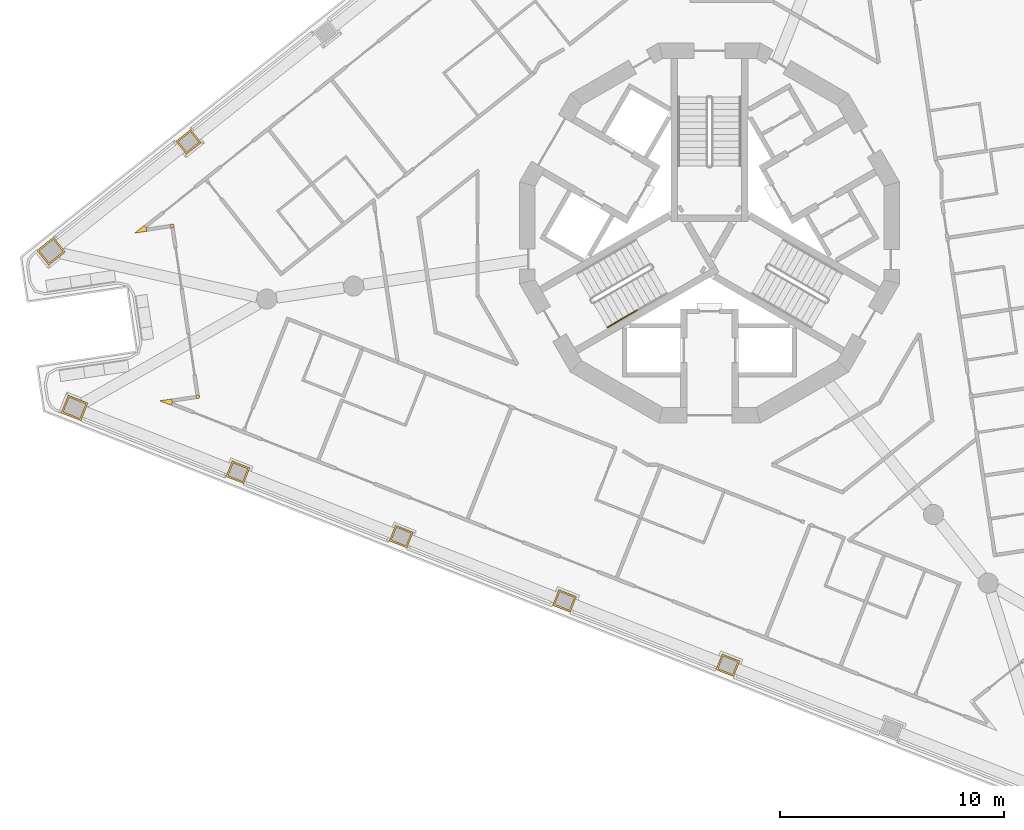
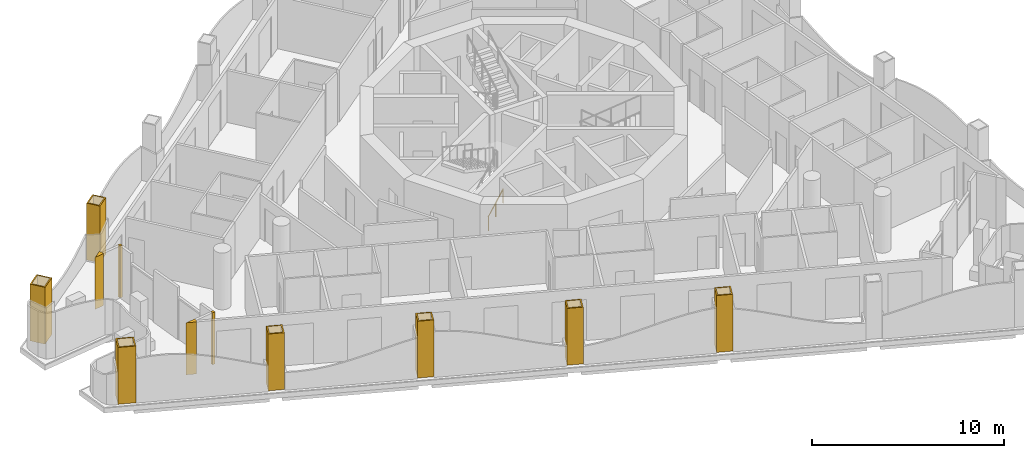
# One storey, part 10 of 16: 11 coverings, 1 railing.
"""IFC4 building model written with IfcOpenShell, lengths in metres."""

from ifc_helpers import new_model, si_unit, direction, frame, origin, origin_2d, place, context, subcontext, project, spatial, polyline, circle, outline, extrude, material, layer, layer_set, type_object, element, save


model = new_model("IFC4")

# Units and contexts
model_context = context("Model", 3, precision=1e-05, world=origin(), true_north=direction((0.0, 1.0)))
body_context = subcontext(model_context, "Body", "Model", "MODEL_VIEW")
ifc_project = project(units=[si_unit("LENGTHUNIT", "METRE"), si_unit("AREAUNIT", "SQUARE_METRE"), si_unit("VOLUMEUNIT", "CUBIC_METRE"), si_unit("PLANEANGLEUNIT", "RADIAN"), si_unit("MASSUNIT", "GRAM", prefix="KILO")], contexts=[model_context])

# Site, building, storey
site_placement = place(None, origin())
site = spatial("IfcSite", under=ifc_project, at=site_placement, CompositionType="ELEMENT")
building_placement = place(site_placement, origin())
building = spatial("IfcBuilding", under=site, at=building_placement, Name="Trine Commons Tower", CompositionType="ELEMENT")
storey_placement = place(building_placement, frame((0.0, 0.0, 219.60009765625)))
storey = spatial("IfcBuildingStorey", under=building, at=storey_placement, Name="L57", CompositionType="ELEMENT", Elevation=219.60009765625)

# Coverings
ifc_material_1 = material(Name="Aluminium-framed insulated wall panel", Category="aluminium")
ifc_layer_1 = layer(ifc_material_1, 0.14990234375)
ifc_layer_set_1 = layer_set([ifc_layer_1], Name="Aluminium-framed insulated wall panel")
covering_type_1 = type_object("IfcCoveringType", Name="Glazing corner post, aluminium", PredefinedType="CLADDING", material=ifc_layer_set_1)
covering_1_placement = place(storey_placement, origin())
element("IfcCovering", 1, at=covering_1_placement, inside=storey, type_object=covering_type_1, Name="Glazing corner post 6-01", PredefinedType="CLADDING", context=body_context, shape_type="SweptSolid", body=[
    extrude(outline(polyline([(54.83642578125, 62.5712890625), (54.814208984375, 62.7197265625), (54.720947265625, 62.837158203125), (54.28271484375, 62.488525390625), (54.83642578125, 62.5712890625)])), origin(), (0.0, 0.0, 1.0), 3.2998046875),
])
covering_2_placement = place(storey_placement, origin())
element("IfcCovering", 2, at=covering_2_placement, inside=storey, type_object=covering_type_1, Name="Glazing corner post 6-10", PredefinedType="CLADDING", context=body_context, shape_type="SweptSolid", body=[
    extrude(outline(polyline([(55.924072265625, 54.78662109375), (55.97900390625, 54.92626953125), (55.956787109375, 55.07470703125), (55.4033203125, 54.991943359375), (55.924072265625, 54.78662109375)])), origin(), (0.0, 0.0, 1.0), 3.2998046875),
])
covering_3_placement = place(storey_placement, origin())
element("IfcCovering", 3, at=covering_3_placement, inside=storey, type_object=covering_type_1, Name="Glazing corner post 6-11", PredefinedType="CLADDING", context=body_context, shape_type="SweptSolid", body=[
    extrude(outline(polyline([(57.030517578125, 55.235107421875), (57.052734375, 55.0869140625), (57.201171875, 55.10888671875), (57.178955078125, 55.25732421875), (57.030517578125, 55.235107421875)])), origin(), (0.0, 0.0, 1.0), 3.2998046875),
])
covering_4_placement = place(storey_placement, origin())
element("IfcCovering", 4, at=covering_4_placement, inside=storey, type_object=covering_type_1, Name="Glazing corner post 6-12", PredefinedType="CLADDING", context=body_context, shape_type="SweptSolid", body=[
    extrude(outline(polyline([(55.91015625, 62.731689453125), (55.91015625, 62.731689453125), (56.05859375, 62.75390625), (56.036376953125, 62.90234375), (55.887939453125, 62.880126953125), (55.91015625, 62.731689453125)])), origin(), (0.0, 0.0, 1.0), 3.2998046875),
])
ifc_material_2 = material(Name="Limestone, honed", Category="masonry")
ifc_layer_2 = layer(ifc_material_2, 0.074951171875)
ifc_layer_set_2 = layer_set([ifc_layer_2], Name="Limestone, honed")
covering_type_2 = type_object("IfcCoveringType", Name="Limestone column cladding 75", PredefinedType="CLADDING", material=ifc_layer_set_2)
covering_5_placement = place(storey_placement, origin())
element("IfcCovering", 5, at=covering_5_placement, inside=storey, type_object=covering_type_2, Name="Limestone pier cladding 6-03", PredefinedType="CLADDING", context=body_context, shape_type="SweptSolid", body=[
    extrude(outline(polyline([(80.562744140625, 43.66796875), (80.287841796875, 42.97021484375), (81.078857421875, 42.658447265625), (81.353759765625, 43.356201171875), (80.562744140625, 43.66796875)]), holes=[polyline([(80.60498046875, 43.570556640625), (80.38525390625, 43.012451171875), (81.03662109375, 42.755859375), (81.25634765625, 43.31396484375), (80.60498046875, 43.570556640625)])]), origin(), (0.0, 0.0, 1.0), 3.599853515625),
])
covering_6_placement = place(storey_placement, origin())
element("IfcCovering", 6, at=covering_6_placement, inside=storey, type_object=covering_type_2, Name="Limestone pier cladding 6-04", PredefinedType="CLADDING", context=body_context, shape_type="SweptSolid", body=[
    extrude(outline(polyline([(73.25830078125, 46.545166015625), (72.9833984375, 45.847412109375), (73.7744140625, 45.535888671875), (74.04931640625, 46.233642578125), (73.25830078125, 46.545166015625)]), holes=[polyline([(73.30078125, 46.447998046875), (73.080810546875, 45.8896484375), (73.732177734375, 45.633056640625), (73.951904296875, 46.19140625), (73.30078125, 46.447998046875)])]), origin(), (0.0, 0.0, 1.0), 3.599853515625),
])
covering_7_placement = place(storey_placement, origin())
element("IfcCovering", 7, at=covering_7_placement, inside=storey, type_object=covering_type_2, Name="Limestone pier cladding 6-05", PredefinedType="CLADDING", context=body_context, shape_type="SweptSolid", body=[
    extrude(outline(polyline([(65.9541015625, 49.42236328125), (65.67919921875, 48.724609375), (66.47021484375, 48.4130859375), (66.7451171875, 49.11083984375), (65.9541015625, 49.42236328125)]), holes=[polyline([(65.996337890625, 49.3251953125), (65.776611328125, 48.766845703125), (66.427734375, 48.51025390625), (66.647705078125, 49.068603515625), (65.996337890625, 49.3251953125)])]), origin(), (0.0, 0.0, 1.0), 3.599853515625),
])
covering_8_placement = place(storey_placement, origin())
element("IfcCovering", 8, at=covering_8_placement, inside=storey, type_object=covering_type_2, Name="Limestone pier cladding 6-06", PredefinedType="CLADDING", context=body_context, shape_type="SweptSolid", body=[
    extrude(outline(polyline([(58.64990234375, 52.2998046875), (58.375, 51.601806640625), (59.165771484375, 51.290283203125), (59.440673828125, 51.988037109375), (58.64990234375, 52.2998046875)]), holes=[polyline([(58.692138671875, 52.202392578125), (58.47216796875, 51.644287109375), (59.12353515625, 51.3876953125), (59.343505859375, 51.94580078125), (58.692138671875, 52.202392578125)])]), origin(), (0.0, 0.0, 1.0), 3.599853515625),
])
covering_9_placement = place(storey_placement, origin())
element("IfcCovering", 9, at=covering_9_placement, inside=storey, type_object=covering_type_2, Name="Limestone pier cladding 6-07", PredefinedType="CLADDING", context=body_context, shape_type="SweptSolid", body=[
    extrude(outline(polyline([(51.317138671875, 55.24169921875), (51.005615234375, 54.450927734375), (51.8896484375, 54.102783203125), (52.201171875, 54.8935546875), (51.317138671875, 55.24169921875)]), holes=[polyline([(51.359619140625, 55.14453125), (51.10302734375, 54.493408203125), (51.847412109375, 54.2001953125), (52.103759765625, 54.851318359375), (51.359619140625, 55.14453125)])]), origin(), (0.0, 0.0, 1.0), 3.599853515625),
])
covering_10_placement = place(storey_placement, origin())
element("IfcCovering", 10, at=covering_10_placement, inside=storey, type_object=covering_type_2, Name="Limestone pier cladding 6-08", PredefinedType="CLADDING", context=body_context, shape_type="SweptSolid", body=[
    extrude(outline(polyline([(51.19189453125, 61.646484375), (50.662841796875, 62.311767578125), (49.919189453125, 61.72021484375), (50.448486328125, 61.05517578125), (51.19189453125, 61.646484375)]), holes=[polyline([(51.08642578125, 61.658447265625), (50.65087890625, 62.206298828125), (50.024658203125, 61.708251953125), (50.46044921875, 61.160400390625), (51.08642578125, 61.658447265625)])]), origin(), (0.0, 0.0, 1.0), 3.599853515625),
])
covering_11_placement = place(storey_placement, origin())
element("IfcCovering", 11, at=covering_11_placement, inside=storey, type_object=covering_type_2, Name="Limestone pier cladding 6-09", PredefinedType="CLADDING", context=body_context, shape_type="SweptSolid", body=[
    extrude(outline(polyline([(57.265625, 66.54150390625), (56.798583984375, 67.12841796875), (56.13330078125, 66.599365234375), (56.600341796875, 66.012451171875), (57.265625, 66.54150390625)]), holes=[polyline([(57.16015625, 66.5537109375), (56.78662109375, 67.023193359375), (56.23876953125, 66.58740234375), (56.6123046875, 66.117919921875), (57.16015625, 66.5537109375)])]), origin(), (0.0, 0.0, 1.0), 3.599853515625),
])

# Railing
ifc_material_3 = material(Name="Stainless steel handrail", Category="steel")
railing_type = type_object("IfcRailingType", Name="Stair handrail, steel 900", PredefinedType="HANDRAIL", material=ifc_material_3)
railing_placement = place(storey_placement, frame((75.43017578125, 58.27392578125, 0.14990234375)))
element("IfcRailing", 12, at=railing_placement, inside=storey, type_object=railing_type, Name="L57 ST2C stair handrail 1", PredefinedType="HANDRAIL", context=body_context, shape_type="SweptSolid", body=[
    extrude(circle(Radius=0.02099609375, at=origin_2d()), frame((0.0, 0.0, 0.87890625), z_axis=(0.76340495495, 0.440743040072, 0.472184759798), x_axis=(-0.499992328818, 0.866029832698, 0.0)), (0.0, 0.0, 1.0), 1.7470703125),
    extrude(circle(Radius=0.01513671875, at=origin_2d()), origin(), (0.0, 0.0, 1.0), 0.85791015625),
    extrude(circle(Radius=0.01513671875, at=origin_2d()), frame((0.6669921875, 0.385009765625, 0.41259765625)), (0.0, 0.0, 1.0), 0.85791015625),
    extrude(circle(Radius=0.01513671875, at=origin_2d()), frame((1.333740234375, 0.77001953125, 0.824951171875)), (0.0, 0.0, 1.0), 0.85791015625),
])

save(model, "model.ifc")
